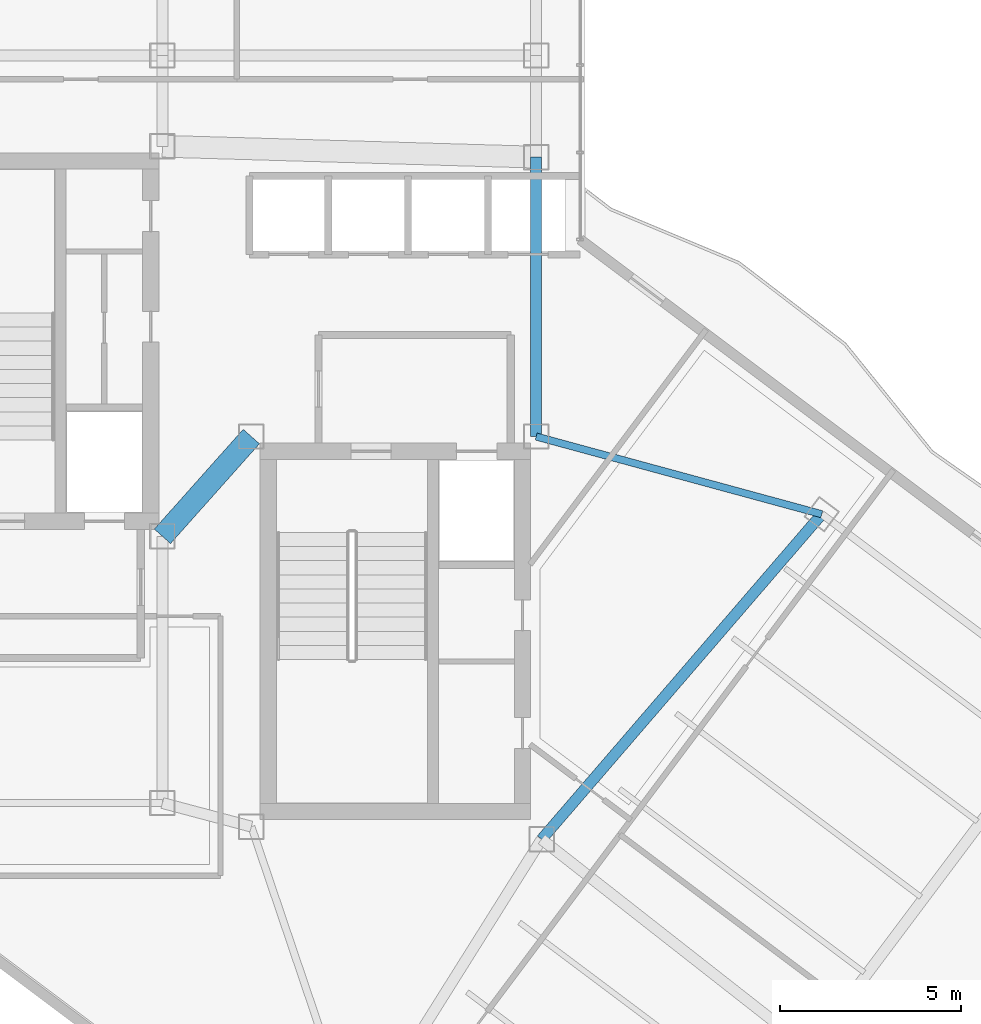
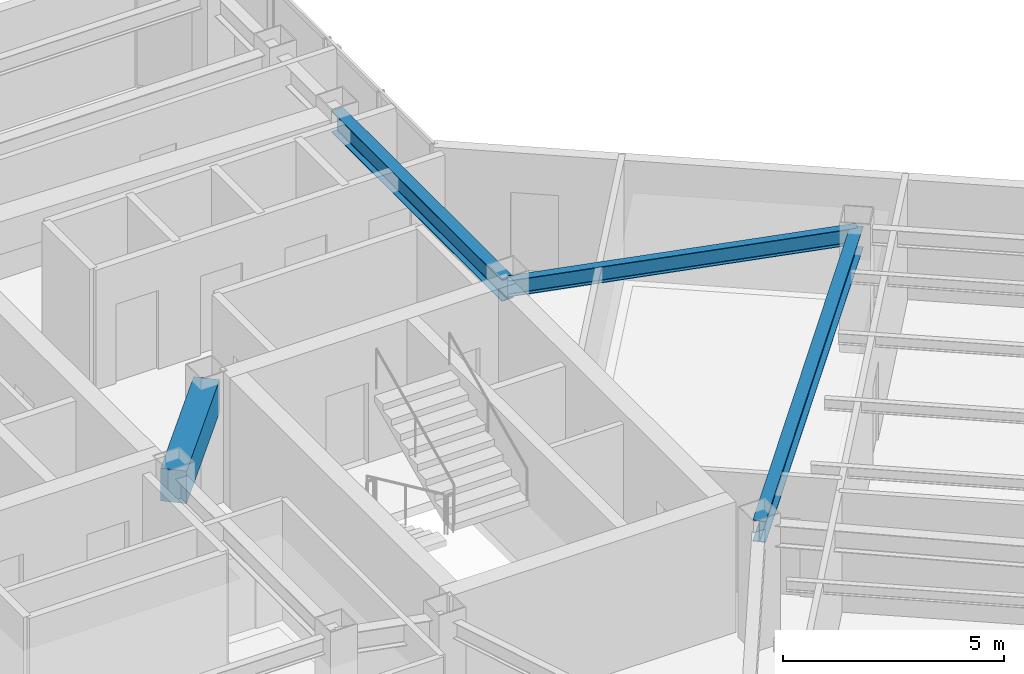
# One storey, part 9 of 25: 4 beams.
"""IFC4 building model written with IfcOpenShell, lengths in metres."""

from ifc_helpers import new_model, si_unit, direction, frame, origin, origin_2d, place, context, subcontext, project, spatial, rectangle, i_section, extrude, material, material_profile, profile_set, type_object, element, save


model = new_model("IFC4")

# Units and contexts
model_context = context("Model", 3, precision=1e-05, world=origin(), true_north=direction((0.0, 1.0)))
body_context = subcontext(model_context, "Body", "Model", "MODEL_VIEW")
ifc_project = project(units=[si_unit("LENGTHUNIT", "METRE"), si_unit("AREAUNIT", "SQUARE_METRE"), si_unit("VOLUMEUNIT", "CUBIC_METRE"), si_unit("PLANEANGLEUNIT", "RADIAN"), si_unit("MASSUNIT", "GRAM", prefix="KILO")], contexts=[model_context])

# Site, building, storey
site_placement = place(None, origin())
site = spatial("IfcSite", under=ifc_project, at=site_placement, CompositionType="ELEMENT")
building_placement = place(site_placement, origin())
building = spatial("IfcBuilding", under=site, at=building_placement, Name="Hatsunagi Terrace Concourse", CompositionType="ELEMENT")
storey_placement = place(building_placement, frame((0.0, 0.0, 231.14990234375)))
storey = spatial("IfcBuildingStorey", under=building, at=storey_placement, Name="L61", CompositionType="ELEMENT", Elevation=231.14990234375)

# Beams
ifc_material_1 = material(Name="Concrete Fc42", Category="concrete")
ifc_material_profile_1 = material_profile(ifc_material_1, rectangle(XDim=0.60009765625, YDim=0.89990234375, at=origin_2d()), Name="RC-600x900")
ifc_profile_set_1 = profile_set([ifc_material_profile_1], Name="Concrete Fc42")
beam_type_1 = type_object("IfcBeamType", Name="CoreCouplingBeam_RC_600x900", PredefinedType="BEAM", material=ifc_profile_set_1)
beam_1_placement = place(storey_placement, frame((33.35009765625, 32.550048828125, 2.85009765625), z_axis=(0.665198651008, 0.746666427997, 0.0), x_axis=(-0.746666427997, 0.665198651008, 0.0)))
element("IfcBeam", 1, at=beam_1_placement, inside=storey, type_object=beam_type_1, Name="Beam CB-03 CB-L61-1", PredefinedType="BEAM", context=body_context, shape_type="SweptSolid", body=[
    extrude(rectangle(XDim=0.60009765625, YDim=0.89990234375, at=origin_2d()), origin(), (0.0, 0.0, 1.0), 3.68310546875),
])
ifc_material_2 = material(Name="Steel SN490B", Category="steel")
ifc_material_profile_2 = material_profile(ifc_material_2, i_section(OverallWidth=0.300048828125, OverallDepth=0.587890625, WebThickness=0.011962890625, FlangeThickness=0.02001953125, FilletRadius=0.01806640625, at=origin_2d()), Name="H-588x300x12x20")
ifc_profile_set_2 = profile_set([ifc_material_profile_2], Name="Steel SN490B")
beam_type_2 = type_object("IfcBeamType", Name="OfficeHighGirder_H_588x300", PredefinedType="BEAM", material=ifc_profile_set_2)
beam_2_placement = place(storey_placement, frame((43.64990234375, 35.300048828125, 3.006103515625), z_axis=(0.0, 1.0, 0.0), x_axis=(-1.0, 0.0, 0.0)))
element("IfcBeam", 2, at=beam_2_placement, inside=storey, type_object=beam_type_2, Name="Beam G-06 BM-L61-CBK3", PredefinedType="BEAM", context=body_context, shape_type="SweptSolid", body=[
    extrude(i_section(OverallWidth=0.300048828125, OverallDepth=0.587890625, WebThickness=0.011962890625, FlangeThickness=0.02001953125, FilletRadius=0.01806640625, at=origin_2d()), origin(), (0.0, 0.0, 1.0), 7.699951171875),
])
beam_3_placement = place(storey_placement, frame((43.800048828125, 24.199951171875, 3.006103515625), z_axis=(0.652739101421, 0.757582777969, 0.0), x_axis=(-0.757582777969, 0.652739101421, 0.0)))
element("IfcBeam", 3, at=beam_3_placement, inside=storey, type_object=beam_type_2, Name="Beam G-06 BM-L61-SET-1B", PredefinedType="BEAM", context=body_context, shape_type="SweptSolid", body=[
    extrude(i_section(OverallWidth=0.300048828125, OverallDepth=0.587890625, WebThickness=0.011962890625, FlangeThickness=0.02001953125, FilletRadius=0.01806640625, at=origin_2d()), origin(), (0.0, 0.0, 1.0), 11.8271484375),
])
ifc_material_3 = material(Name="Steel SN490B", Category="steel")
ifc_material_profile_3 = material_profile(ifc_material_3, i_section(OverallWidth=0.199951171875, OverallDepth=0.449951171875, WebThickness=0.009033203125, FlangeThickness=0.013916015625, FilletRadius=0.01611328125, at=origin_2d()), Name="H-450x200x9x14")
ifc_profile_set_3 = profile_set([ifc_material_profile_3], Name="Steel SN490B")
beam_type_3 = type_object("IfcBeamType", Name="PerimeterSpandrel_H_450x200", PredefinedType="SPANDREL", material=ifc_profile_set_3)
beam_4_placement = place(storey_placement, frame((43.64990234375, 35.300048828125, 3.0751953125), z_axis=(0.964958359286, -0.262403057994, 0.0), x_axis=(0.262403057994, 0.964958359286, 0.0)))
element("IfcBeam", 4, at=beam_4_placement, inside=storey, type_object=beam_type_3, Name="Beam SP-02 BM-L61-SE-NE0", PredefinedType="SPANDREL", context=body_context, shape_type="SweptSolid", body=[
    extrude(i_section(OverallWidth=0.199951171875, OverallDepth=0.449951171875, WebThickness=0.009033203125, FlangeThickness=0.013916015625, FilletRadius=0.01611328125, at=origin_2d()), origin(), (0.0, 0.0, 1.0), 8.156005859375),
])

save(model, "model.ifc")
